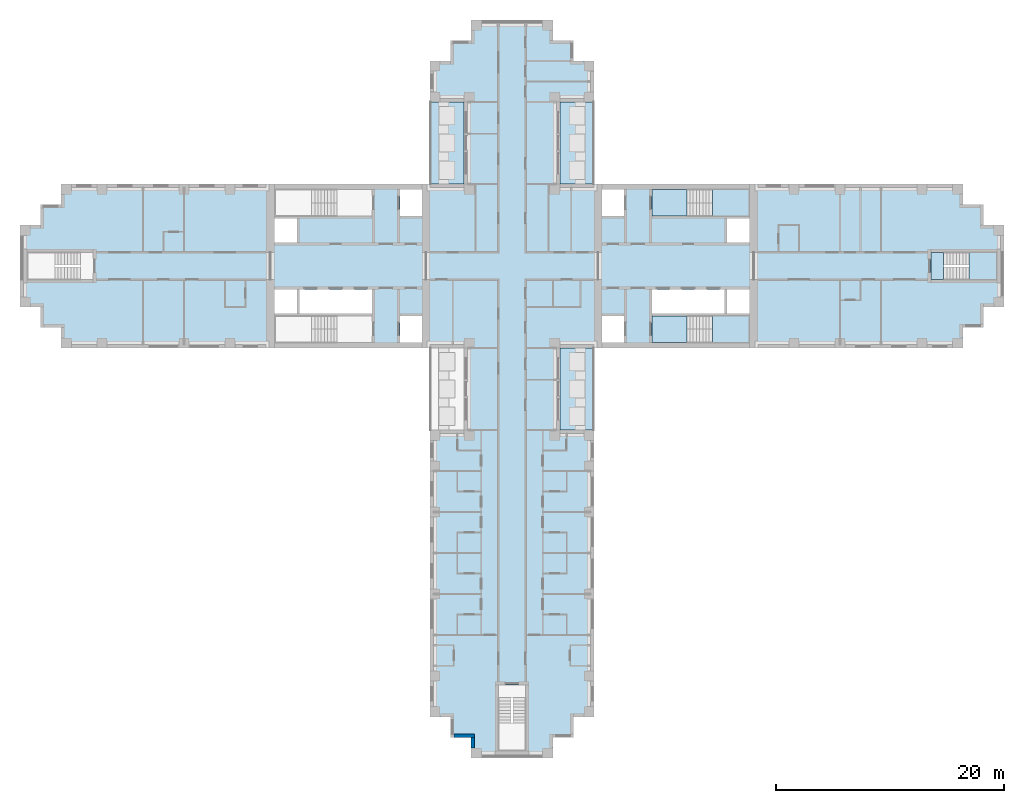
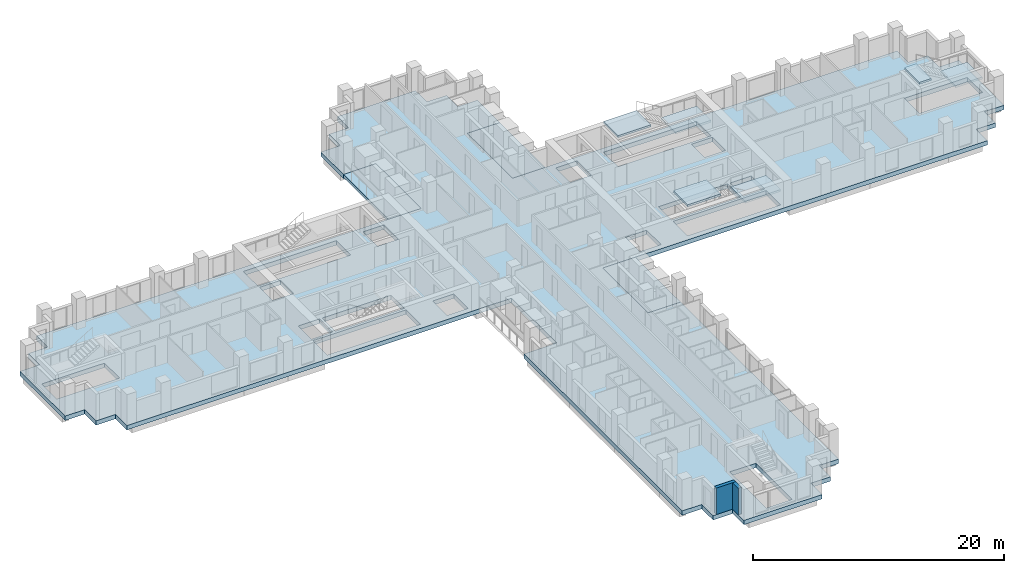
# One storey, part 2 of 14: 10 slabs, 2 walls, 3 elements without a shape of their own.
"""IFC4 building model written with IfcOpenShell, lengths in metres."""

from ifc_helpers import new_model, si_unit, direction, frame, frame_2d, origin, place, context, subcontext, project, spatial, polyline, rectangle, outline, extrude, material, layer, layer_set, type_object, element, aggregate, save


model = new_model("IFC4")

# Units and contexts
model_context = context("Model", 3, precision=1e-05, world=origin(), true_north=direction((0.0, 1.0)))
body_context = subcontext(model_context, "Body", "Model", "MODEL_VIEW")
ifc_project = project(units=[si_unit("LENGTHUNIT", "METRE"), si_unit("AREAUNIT", "SQUARE_METRE"), si_unit("VOLUMEUNIT", "CUBIC_METRE"), si_unit("PLANEANGLEUNIT", "RADIAN"), si_unit("MASSUNIT", "GRAM", prefix="KILO")], contexts=[model_context])

# Site, building, storey
site_placement = place(None, origin())
site = spatial("IfcSite", under=ifc_project, at=site_placement, CompositionType="ELEMENT")
building_placement = place(site_placement, origin())
building = spatial("IfcBuilding", under=site, at=building_placement, Name="Fustian Cross Tower", CompositionType="ELEMENT")
storey_placement = place(building_placement, frame((0.0, 0.0, 99.89990234375)))
storey = spatial("IfcBuildingStorey", under=building, at=storey_placement, Name="L31", CompositionType="ELEMENT", Elevation=99.89990234375)

# Slabs
ifc_material_1 = material(Name="Concrete C40/50", Category="concrete")
ifc_layer_1 = layer(ifc_material_1, 0.300048828125)
ifc_layer_set_1 = layer_set([ifc_layer_1], Name="Concrete C40/50")
slab_type_1 = type_object("IfcSlabType", Name="BS1 BALCONY SLAB 300", PredefinedType="FLOOR", material=ifc_layer_set_1)
slab_1_placement = place(storey_placement, frame((0.0, 0.0, -0.2998046875)))
element("IfcSlab", 1, at=slab_1_placement, inside=storey, type_object=slab_type_1, Name="Balcony slab", PredefinedType="FLOOR", context=body_context, shape_type="SweptSolid", body=[
    extrude(outline(polyline([(4.199951171875, 7.199951171875), (7.199951171875, 7.199951171875), (7.199951171875, 14.39990234375), (4.199951171875, 14.39990234375), (4.199951171875, 7.199951171875)])), origin(), (0.0, 0.0, 1.0), 0.2998046875),
])
slab_2_placement = place(storey_placement, frame((0.0, 0.0, -0.2998046875)))
element("IfcSlab", 2, at=slab_2_placement, inside=storey, type_object=slab_type_1, Name="Balcony slab", PredefinedType="FLOOR", context=body_context, shape_type="SweptSolid", body=[
    extrude(outline(polyline([(-7.199951171875, 7.199951171875), (-4.199951171875, 7.199951171875), (-4.199951171875, 14.39990234375), (-7.199951171875, 14.39990234375), (-7.199951171875, 7.199951171875)])), origin(), (0.0, 0.0, 1.0), 0.2998046875),
])
slab_3_placement = place(storey_placement, frame((0.0, 0.0, -0.2998046875)))
element("IfcSlab", 3, at=slab_3_placement, inside=storey, type_object=slab_type_1, Name="Balcony slab", PredefinedType="FLOOR", context=body_context, shape_type="SweptSolid", body=[
    extrude(outline(polyline([(4.199951171875, -14.39990234375), (7.199951171875, -14.39990234375), (7.199951171875, -7.199951171875), (4.199951171875, -7.199951171875), (4.199951171875, -14.39990234375)])), origin(), (0.0, 0.0, 1.0), 0.2998046875),
])
ifc_material_2 = material(Name="Concrete C40/50", Category="concrete")
ifc_layer_2 = layer(ifc_material_2, 0.425048828125)
ifc_layer_set_2 = layer_set([ifc_layer_2], Name="Concrete C40/50")
slab_type_2 = type_object("IfcSlabType", Name="FLAT SLAB 425", PredefinedType="FLOOR", material=ifc_layer_set_2)
slab_4_placement = place(storey_placement, frame((0.0, 0.0, -0.4248046875)))
element("IfcSlab", 4, at=slab_4_placement, inside=storey, type_object=slab_type_2, Name="FLOOR SLAB L31-1", PredefinedType="FLOOR", context=body_context, shape_type="SweptSolid", body=[
    extrude(outline(polyline([(-4.199951171875, -7.199951171875), (-39.60009765625, -7.199951171875), (-39.60009765625, -5.39990234375), (-41.39990234375, -5.39990234375), (-41.39990234375, -3.60009765625), (-43.199951171875, -3.60009765625), (-43.199951171875, 3.60009765625), (-41.39990234375, 3.60009765625), (-41.39990234375, 5.39990234375), (-39.60009765625, 5.39990234375), (-39.60009765625, 7.199951171875), (-4.199951171875, 7.199951171875), (-4.199951171875, 14.39990234375), (-7.199951171875, 14.39990234375), (-7.199951171875, 18.0), (-5.39990234375, 18.0), (-5.39990234375, 19.800048828125), (-3.60009765625, 19.800048828125), (-3.60009765625, 21.60009765625), (3.60009765625, 21.60009765625), (3.60009765625, 19.800048828125), (5.39990234375, 19.800048828125), (5.39990234375, 18.0), (7.199951171875, 18.0), (7.199951171875, 14.39990234375), (4.199951171875, 14.39990234375), (4.199951171875, 7.199951171875), (39.60009765625, 7.199951171875), (39.60009765625, 5.39990234375), (41.39990234375, 5.39990234375), (41.39990234375, 3.60009765625), (43.199951171875, 3.60009765625), (43.199951171875, -3.60009765625), (41.39990234375, -3.60009765625), (41.39990234375, -5.39990234375), (39.60009765625, -5.39990234375), (39.60009765625, -7.199951171875), (4.199951171875, -7.199951171875), (4.199951171875, -14.39990234375), (7.199951171875, -14.39990234375), (7.199951171875, -39.60009765625), (5.39990234375, -39.60009765625), (5.39990234375, -41.39990234375), (3.60009765625, -41.39990234375), (3.60009765625, -43.199951171875), (-3.60009765625, -43.199951171875), (-3.60009765625, -41.39990234375), (-5.39990234375, -41.39990234375), (-5.39990234375, -39.60009765625), (-7.199951171875, -39.60009765625), (-7.199951171875, -14.39990234375), (-4.199951171875, -14.39990234375), (-4.199951171875, -7.199951171875)]), holes=[polyline([(20.85009765625, -2.050048828125), (18.89990234375, -2.050048828125), (18.89990234375, -4.14990234375), (20.85009765625, -4.14990234375), (20.85009765625, -2.050048828125)]), polyline([(20.85009765625, 2.050048828125), (20.85009765625, 4.14990234375), (18.89990234375, 4.14990234375), (18.89990234375, 2.050048828125), (20.85009765625, 2.050048828125)]), polyline([(7.89990234375, 4.39990234375), (9.85009765625, 4.39990234375), (9.85009765625, 6.699951171875), (7.89990234375, 6.699951171875), (7.89990234375, 4.39990234375)]), polyline([(7.89990234375, -4.39990234375), (7.89990234375, -6.699951171875), (9.85009765625, -6.699951171875), (9.85009765625, -4.39990234375), (7.89990234375, -4.39990234375)]), polyline([(-18.89990234375, -2.050048828125), (-20.85009765625, -2.050048828125), (-20.85009765625, -4.14990234375), (-18.89990234375, -4.14990234375), (-18.89990234375, -2.050048828125)]), polyline([(-18.89990234375, 2.050048828125), (-18.89990234375, 4.14990234375), (-20.85009765625, 4.14990234375), (-20.85009765625, 2.050048828125), (-18.89990234375, 2.050048828125)]), polyline([(-9.85009765625, 4.39990234375), (-7.89990234375, 4.39990234375), (-7.89990234375, 6.699951171875), (-9.85009765625, 6.699951171875), (-9.85009765625, 4.39990234375)]), polyline([(-9.85009765625, -4.39990234375), (-9.85009765625, -6.699951171875), (-7.89990234375, -6.699951171875), (-7.89990234375, -4.39990234375), (-9.85009765625, -4.39990234375)]), polyline([(18.64990234375, -2.050048828125), (12.300048828125, -2.050048828125), (12.300048828125, -4.14990234375), (18.64990234375, -4.14990234375), (18.64990234375, -2.050048828125)]), polyline([(-12.300048828125, -4.14990234375), (-12.300048828125, -2.050048828125), (-18.64990234375, -2.050048828125), (-18.64990234375, -4.14990234375), (-12.300048828125, -4.14990234375)]), polyline([(12.300048828125, 4.39990234375), (20.85009765625, 4.39990234375), (20.85009765625, 6.699951171875), (12.300048828125, 6.699951171875), (12.300048828125, 4.39990234375)]), polyline([(12.300048828125, -4.39990234375), (12.300048828125, -6.699951171875), (20.85009765625, -6.699951171875), (20.85009765625, -4.39990234375), (12.300048828125, -4.39990234375)]), polyline([(-12.300048828125, 6.699951171875), (-20.85009765625, 6.699951171875), (-20.85009765625, 4.39990234375), (-12.300048828125, 4.39990234375), (-12.300048828125, 6.699951171875)]), polyline([(-12.300048828125, -6.699951171875), (-12.300048828125, -4.39990234375), (-20.85009765625, -4.39990234375), (-20.85009765625, -6.699951171875), (-12.300048828125, -6.699951171875)]), polyline([(-1.199951171875, -42.60009765625), (1.199951171875, -42.60009765625), (1.199951171875, -36.800048828125), (-1.199951171875, -36.800048828125), (-1.199951171875, -42.60009765625)]), polyline([(36.800048828125, 1.199951171875), (36.800048828125, -1.199951171875), (42.60009765625, -1.199951171875), (42.60009765625, 1.199951171875), (36.800048828125, 1.199951171875)]), polyline([(-36.800048828125, 1.199951171875), (-42.60009765625, 1.199951171875), (-42.60009765625, -1.199951171875), (-36.800048828125, -1.199951171875), (-36.800048828125, 1.199951171875)])]), origin(), (0.0, 0.0, 1.0), 0.4248046875),
])

# Stair, slabs
ifc_material_3 = material(Name="Concrete C50/60", Category="concrete")
stair_type_1 = type_object("IfcStairType", Name="STAIR 1150 HALF TURN", PredefinedType="HALF_TURN_STAIR", material=ifc_material_3)
stair_1_placement = place(storey_placement, origin())
stair_1 = element("IfcStair", 5, at=stair_1_placement, inside=storey, type_object=stair_type_1, Name="Stair ST1", PredefinedType="HALF_TURN_STAIR")
ifc_material_4 = material(Name="Concrete C50/60", Category="concrete")
ifc_layer_3 = layer(ifc_material_4, 0.199951171875)
ifc_layer_set_3 = layer_set([ifc_layer_3], Name="Concrete C50/60")
slab_type_3 = type_object("IfcSlabType", Name="STAIR LANDING", PredefinedType="LANDING", material=ifc_layer_set_3)
slab_5_placement = place(storey_placement, frame((0.0, 0.0, 1.300048828125)))
slab_5 = element("IfcSlab", 6, at=slab_5_placement, type_object=slab_type_3, Name="ST1 landing 1", PredefinedType="LANDING", context=body_context, shape_type="SweptSolid", body=[
    extrude(outline(polyline([(17.590087890625, 4.39990234375), (20.85009765625, 4.39990234375), (20.85009765625, 6.699951171875), (17.590087890625, 6.699951171875), (17.590087890625, 4.39990234375)])), origin(), (0.0, 0.0, 1.0), 0.199951171875),
])
slab_6_placement = place(storey_placement, frame((0.0, 0.0, 2.800048828125)))
slab_6 = element("IfcSlab", 7, at=slab_6_placement, type_object=slab_type_3, Name="ST1 landing 2", PredefinedType="LANDING", context=body_context, shape_type="SweptSolid", body=[
    extrude(outline(polyline([(12.300048828125, 4.39990234375), (15.35009765625, 4.39990234375), (15.35009765625, 6.699951171875), (12.300048828125, 6.699951171875), (12.300048828125, 4.39990234375)])), origin(), (0.0, 0.0, 1.0), 0.199951171875),
])
aggregate(stair_1, [slab_5, slab_6])

stair_2_placement = place(storey_placement, origin())
stair_2 = element("IfcStair", 8, at=stair_2_placement, inside=storey, type_object=stair_type_1, Name="Stair ST2", PredefinedType="HALF_TURN_STAIR")
slab_7_placement = place(storey_placement, frame((0.0, 0.0, 1.300048828125)))
slab_7 = element("IfcSlab", 9, at=slab_7_placement, type_object=slab_type_3, Name="ST2 landing 1", PredefinedType="LANDING", context=body_context, shape_type="SweptSolid", body=[
    extrude(outline(polyline([(17.590087890625, -4.39990234375), (20.85009765625, -4.39990234375), (20.85009765625, -6.699951171875), (17.590087890625, -6.699951171875), (17.590087890625, -4.39990234375)])), origin(), (0.0, 0.0, 1.0), 0.199951171875),
])
slab_8_placement = place(storey_placement, frame((0.0, 0.0, 2.800048828125)))
slab_8 = element("IfcSlab", 10, at=slab_8_placement, type_object=slab_type_3, Name="ST2 landing 2", PredefinedType="LANDING", context=body_context, shape_type="SweptSolid", body=[
    extrude(outline(polyline([(12.300048828125, -4.39990234375), (15.35009765625, -4.39990234375), (15.35009765625, -6.699951171875), (12.300048828125, -6.699951171875), (12.300048828125, -4.39990234375)])), origin(), (0.0, 0.0, 1.0), 0.199951171875),
])
aggregate(stair_2, [slab_7, slab_8])

ifc_material_5 = material(Name="Concrete C50/60", Category="concrete")
stair_type_2 = type_object("IfcStairType", Name="STAIR 1100 HALF TURN", PredefinedType="HALF_TURN_STAIR", material=ifc_material_5)
stair_3_placement = place(storey_placement, origin())
stair_3 = element("IfcStair", 11, at=stair_3_placement, inside=storey, type_object=stair_type_2, Name="Stair ST8", PredefinedType="HALF_TURN_STAIR")
slab_9_placement = place(storey_placement, frame((0.0, 0.0, 1.300048828125)))
slab_9 = element("IfcSlab", 12, at=slab_9_placement, type_object=slab_type_3, Name="ST8 landing 1", PredefinedType="LANDING", context=body_context, shape_type="SweptSolid", body=[
    extrude(outline(polyline([(40.139892578125, -1.199951171875), (42.60009765625, -1.199951171875), (42.60009765625, 1.199951171875), (40.139892578125, 1.199951171875), (40.139892578125, -1.199951171875)])), origin(), (0.0, 0.0, 1.0), 0.199951171875),
])
slab_10_placement = place(storey_placement, frame((0.0, 0.0, 2.800048828125)))
slab_10 = element("IfcSlab", 13, at=slab_10_placement, type_object=slab_type_3, Name="ST8 landing 2", PredefinedType="LANDING", context=body_context, shape_type="SweptSolid", body=[
    extrude(outline(polyline([(36.800048828125, -1.199951171875), (37.89990234375, -1.199951171875), (37.89990234375, 1.199951171875), (36.800048828125, 1.199951171875), (36.800048828125, -1.199951171875)])), origin(), (0.0, 0.0, 1.0), 0.199951171875),
])
aggregate(stair_3, [slab_9, slab_10])

# Walls
ifc_material_6 = material(Name="Dark aluminium cladding on insulated backing wall", Category="aluminium")
ifc_layer_4 = layer(ifc_material_6, 0.300048828125)
ifc_layer_set_4 = layer_set([ifc_layer_4], Name="Dark aluminium cladding on insulated backing wall")
wall_type = type_object("IfcWallType", Name="XW1 EXTERNAL WALL 300", PredefinedType="SOLIDWALL", material=ifc_layer_set_4)
wall_1_placement = place(storey_placement, frame((-5.10009765625, -41.25, 0.0), z_axis=(0.0, 0.0, 1.0), x_axis=(1.0, 0.0, 0.0)))
element("IfcWall", 14, at=wall_1_placement, inside=storey, type_object=wall_type, Name="External wall", PredefinedType="SOLIDWALL", context=body_context, shape_type="SweptSolid", body=[
    extrude(rectangle(XDim=1.800048828125, YDim=0.300048828125, at=frame_2d((0.89990234375, 0.0))), origin(), (0.0, 0.0, 1.0), 2.5751953125),
])
wall_2_placement = place(storey_placement, frame((-3.449951171875, -41.39990234375, 0.0), z_axis=(0.0, 0.0, 1.0), x_axis=(0.0, -1.0, 0.0)))
element("IfcWall", 15, at=wall_2_placement, inside=storey, type_object=wall_type, Name="External wall", PredefinedType="SOLIDWALL", context=body_context, shape_type="SweptSolid", body=[
    extrude(rectangle(XDim=0.900146484375, YDim=0.300048828125, at=frame_2d((0.4501953125, 0.0))), origin(), (0.0, 0.0, 1.0), 2.5751953125),
])

save(model, "model.ifc")
